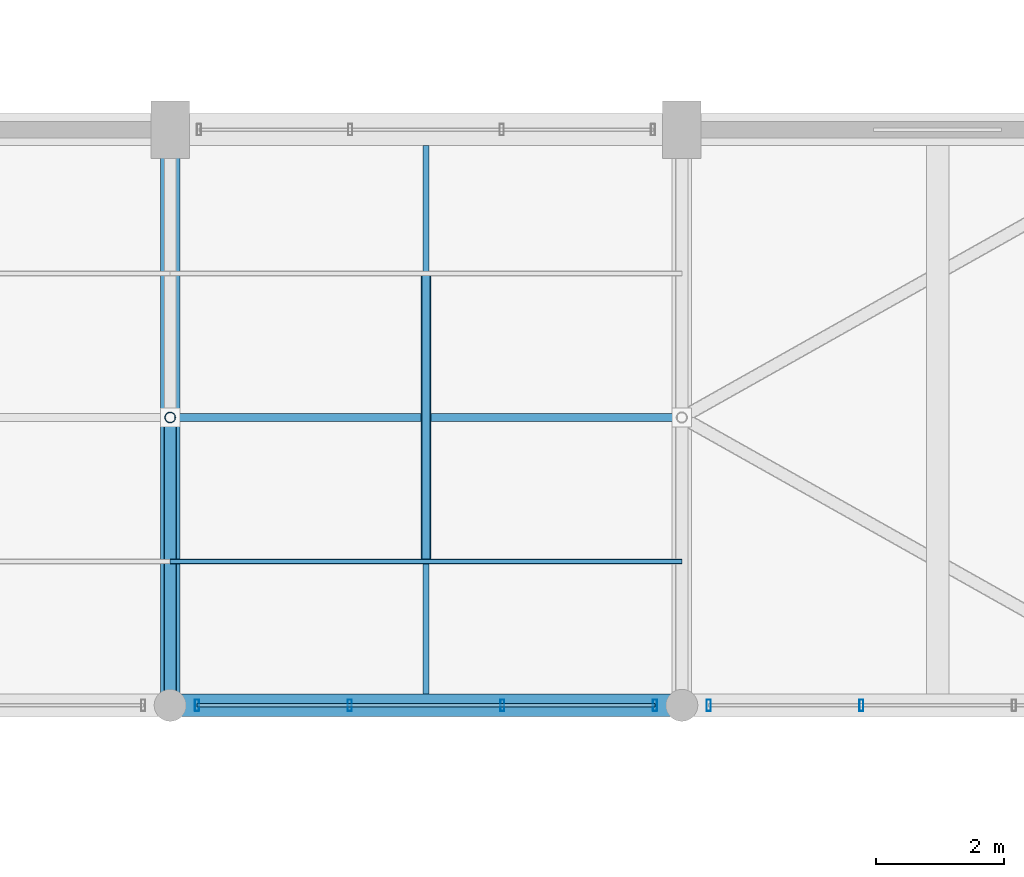
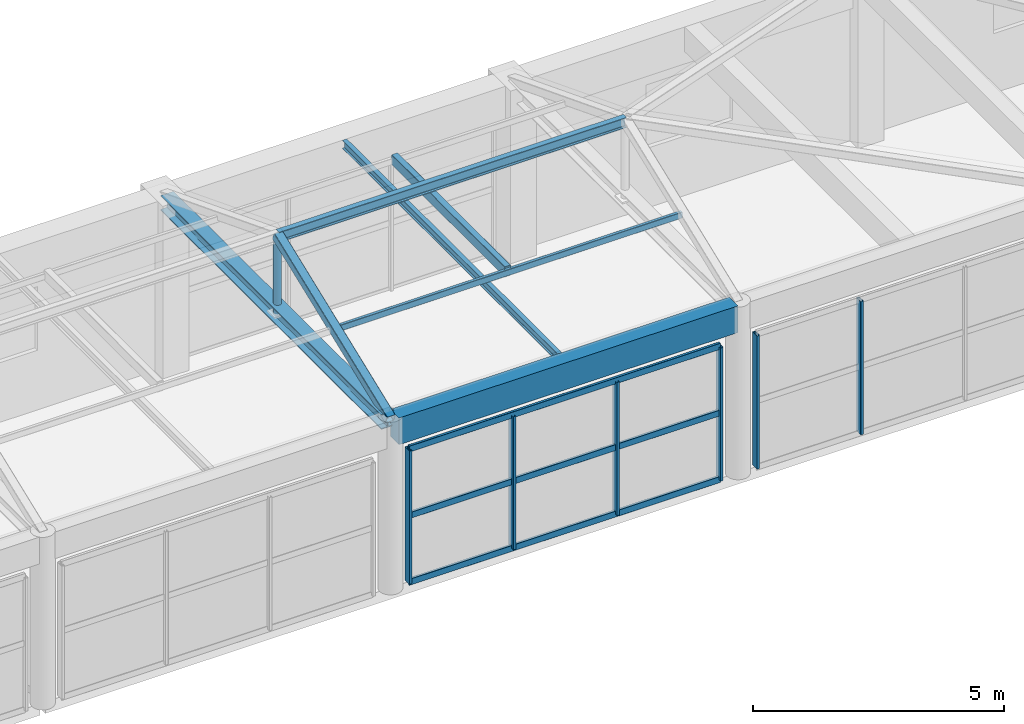
# One storey, part 38 of 65: 13 members, 4 beams, 2 elements without a shape of their own.
"""IFC4 building model written with IfcOpenShell, lengths in metres."""

from ifc_helpers import new_model, si_unit, direction, frame, origin, origin_2d, place, context, subcontext, project, spatial, rectangle, hollow_rectangle, hollow_circle, i_section, extrude, material, material_profile, profile_set, type_object, element, aggregate, save


model = new_model("IFC4")

# Units and contexts
model_context = context("Model", 3, precision=1e-05, world=origin(), true_north=direction((0.0, 1.0)))
body_context = subcontext(model_context, "Body", "Model", "MODEL_VIEW")
ifc_project = project(units=[si_unit("LENGTHUNIT", "METRE"), si_unit("AREAUNIT", "SQUARE_METRE"), si_unit("VOLUMEUNIT", "CUBIC_METRE"), si_unit("PLANEANGLEUNIT", "RADIAN"), si_unit("MASSUNIT", "GRAM", prefix="KILO")], contexts=[model_context])

# Site, building, storey
site_placement = place(None, origin())
site = spatial("IfcSite", under=ifc_project, at=site_placement, CompositionType="ELEMENT")
building_placement = place(site_placement, origin())
building = spatial("IfcBuilding", under=site, at=building_placement, Name="Varnabhumi Central Station", CompositionType="ELEMENT")
storey_placement = place(building_placement, frame((0.0, 0.0, 24.60009765625)))
storey = spatial("IfcBuildingStorey", under=building, at=storey_placement, Name="L05", CompositionType="ELEMENT", Elevation=24.60009765625)

# Beams
ifc_material_1 = material(Name="Structural steel E350", Category="steel")
ifc_material_profile_1 = material_profile(ifc_material_1, i_section(OverallWidth=0.125, OverallDepth=0.25, WebThickness=0.0068359375, FlangeThickness=0.012451171875, FilletRadius=0.012939453125, at=origin_2d()), Name="Structural steel E350", Category="steel")
ifc_profile_set_1 = profile_set([ifc_material_profile_1], Name="Structural steel E350")
beam_type_1 = type_object("IfcBeamType", Name="BM-PUR-ISMB250", PredefinedType="JOIST", material=ifc_profile_set_1)
beam_1_placement = place(storey_placement, frame((128.0, 31.5, 5.829833984375), z_axis=(1.0, 0.0, 0.0), x_axis=(0.0, 1.0, 0.0)))
element("IfcBeam", 1, at=beam_1_placement, inside=storey, type_object=beam_type_1, Name="Mission Roof Ridge Beam SW6CN-3", PredefinedType="JOIST", context=body_context, shape_type="SweptSolid", body=[
    extrude(i_section(OverallWidth=0.125, OverallDepth=0.25, WebThickness=0.0068359375, FlangeThickness=0.012451171875, FilletRadius=0.012939453125, at=origin_2d()), origin(), (0.0, 0.0, 1.0), 8.0),
])
ifc_material_2 = material(Name="Concrete M40", Category="concrete")
ifc_material_profile_2 = material_profile(ifc_material_2, rectangle(XDim=0.35009765625, YDim=0.64990234375, at=origin_2d()), Name="Concrete M40", Category="concrete")
ifc_profile_set_2 = profile_set([ifc_material_profile_2], Name="Concrete M40")
beam_type_2 = type_object("IfcBeamType", Name="BM-RC-350x650", PredefinedType="BEAM", material=ifc_profile_set_2)
beam_2_placement = place(storey_placement, frame((128.10009765625, 27.0, 3.875), z_axis=(1.0, 0.0, 0.0), x_axis=(0.0, 1.0, 0.0)))
element("IfcBeam", 2, at=beam_2_placement, inside=storey, type_object=beam_type_2, Name="Beam L05-D:17-18", PredefinedType="BEAM", context=body_context, shape_type="SweptSolid", body=[
    extrude(rectangle(XDim=0.35009765625, YDim=0.64990234375, at=origin_2d()), origin(), (0.0, 0.0, 1.0), 7.7998046875),
])
ifc_material_profile_3 = material_profile(ifc_material_1, i_section(OverallWidth=0.10009765625, OverallDepth=0.199951171875, WebThickness=0.005615234375, FlangeThickness=0.0107421875, FilletRadius=0.010986328125, at=origin_2d()), Name="Structural steel E350", Category="steel")
ifc_profile_set_3 = profile_set([ifc_material_profile_3], Name="Structural steel E350")
beam_type_3 = type_object("IfcBeamType", Name="BM-STL-ISMB200", PredefinedType="JOIST", material=ifc_profile_set_3)
beam_3_placement = place(storey_placement, frame((132.0, 27.175048828125, 4.099853515625), z_axis=(0.0, 1.0, 0.0), x_axis=(-1.0, 0.0, 0.0)))
element("IfcBeam", 3, at=beam_3_placement, inside=storey, type_object=beam_type_3, Name="Secondary Joist L05-17/18:D-E", PredefinedType="JOIST", context=body_context, shape_type="SweptSolid", body=[
    extrude(i_section(OverallWidth=0.10009765625, OverallDepth=0.199951171875, WebThickness=0.005615234375, FlangeThickness=0.0107421875, FilletRadius=0.010986328125, at=origin_2d()), origin(), (0.0, 0.0, 1.0), 8.574951171875),
])
ifc_material_profile_4 = material_profile(ifc_material_1, i_section(OverallWidth=0.300048828125, OverallDepth=0.360107421875, WebThickness=0.012451171875, FlangeThickness=0.0224609375, FilletRadius=0.027099609375, at=origin_2d()), Name="Structural steel E350", Category="steel")
ifc_profile_set_4 = profile_set([ifc_material_profile_4], Name="Structural steel E350")
beam_type_4 = type_object("IfcBeamType", Name="BM-STL-WPB360", PredefinedType="BEAM", material=ifc_profile_set_4)
beam_4_placement = place(storey_placement, frame((128.0, 27.10009765625, 4.02001953125), z_axis=(0.0, 1.0, 0.0), x_axis=(-1.0, 0.0, 0.0)))
element("IfcBeam", 4, at=beam_4_placement, inside=storey, type_object=beam_type_4, Name="Beam L05-17:D-E", PredefinedType="BEAM", context=body_context, shape_type="SweptSolid", body=[
    extrude(i_section(OverallWidth=0.300048828125, OverallDepth=0.360107421875, WebThickness=0.012451171875, FlangeThickness=0.0224609375, FilletRadius=0.027099609375, at=origin_2d()), origin(), (0.0, 0.0, 1.0), 8.7998046875),
])

# Curtain wall, members
ifc_material_3 = material(Name="Anodised aluminium 6063-T6", Category="aluminium")
curtain_wall_type = type_object("IfcCurtainWallType", Name="CW-PATIO-LOGGIA-L3", PredefinedType="NOTDEFINED", material=ifc_material_3)
curtain_wall_1_placement = place(storey_placement, origin())
curtain_wall_1 = element("IfcCurtainWall", 5, at=curtain_wall_1_placement, inside=storey, type_object=curtain_wall_type, Name="Curtain Wall CW-SP5N3", PredefinedType="NOTDEFINED")
ifc_material_profile_5 = material_profile(ifc_material_3, hollow_rectangle(XDim=0.06494140625, YDim=0.179931640625, WallThickness=0.00390625, InnerFilletRadius=0.001953125, OuterFilletRadius=0.006103515625, at=origin_2d()), Name="Anodised aluminium 6063-T6", Category="aluminium")
ifc_profile_set_5 = profile_set([ifc_material_profile_5], Name="Anodised aluminium 6063-T6")
member_type_1 = type_object("IfcMemberType", Name="CW-MUL-180", PredefinedType="MULLION", material=ifc_profile_set_5)
member_1_placement = place(storey_placement, frame((128.419921875, 27.0, 0.0), z_axis=(0.0, 0.0, 1.0), x_axis=(1.0, 0.0, 0.0)))
member_1 = element("IfcMember", 6, at=member_1_placement, type_object=member_type_1, Name="Curtain Wall Mullion CW-SP5N3-M1", PredefinedType="MULLION", context=body_context, shape_type="SweptSolid", body=[
    extrude(hollow_rectangle(XDim=0.06494140625, YDim=0.179931640625, WallThickness=0.00390625, InnerFilletRadius=0.001953125, OuterFilletRadius=0.006103515625, at=origin_2d()), origin(), (0.0, 0.0, 1.0), 3.239990234375),
])
member_2_placement = place(storey_placement, frame((130.806640625, 27.0, 0.0), z_axis=(0.0, 0.0, 1.0), x_axis=(1.0, 0.0, 0.0)))
member_2 = element("IfcMember", 7, at=member_2_placement, type_object=member_type_1, Name="Curtain Wall Mullion CW-SP5N3-M2", PredefinedType="MULLION", context=body_context, shape_type="SweptSolid", body=[
    extrude(hollow_rectangle(XDim=0.06494140625, YDim=0.179931640625, WallThickness=0.00390625, InnerFilletRadius=0.001953125, OuterFilletRadius=0.006103515625, at=origin_2d()), origin(), (0.0, 0.0, 1.0), 3.239990234375),
])
member_3_placement = place(storey_placement, frame((133.193359375, 27.0, 0.0), z_axis=(0.0, 0.0, 1.0), x_axis=(1.0, 0.0, 0.0)))
member_3 = element("IfcMember", 8, at=member_3_placement, type_object=member_type_1, Name="Curtain Wall Mullion CW-SP5N3-M3", PredefinedType="MULLION", context=body_context, shape_type="SweptSolid", body=[
    extrude(hollow_rectangle(XDim=0.06494140625, YDim=0.179931640625, WallThickness=0.00390625, InnerFilletRadius=0.001953125, OuterFilletRadius=0.006103515625, at=origin_2d()), origin(), (0.0, 0.0, 1.0), 3.239990234375),
])
member_4_placement = place(storey_placement, frame((135.580078125, 27.0, 0.0), z_axis=(0.0, 0.0, 1.0), x_axis=(1.0, 0.0, 0.0)))
member_4 = element("IfcMember", 9, at=member_4_placement, type_object=member_type_1, Name="Curtain Wall Mullion CW-SP5N3-M4", PredefinedType="MULLION", context=body_context, shape_type="SweptSolid", body=[
    extrude(hollow_rectangle(XDim=0.06494140625, YDim=0.179931640625, WallThickness=0.00390625, InnerFilletRadius=0.001953125, OuterFilletRadius=0.006103515625, at=origin_2d()), origin(), (0.0, 0.0, 1.0), 3.239990234375),
])

curtain_wall_2_placement = place(storey_placement, origin())
curtain_wall_2 = element("IfcCurtainWall", 10, at=curtain_wall_2_placement, inside=storey, type_object=curtain_wall_type, Name="Curtain Wall CW-SP5N4", PredefinedType="NOTDEFINED")
member_5_placement = place(storey_placement, frame((136.419921875, 27.0, 0.0), z_axis=(0.0, 0.0, 1.0), x_axis=(1.0, 0.0, 0.0)))
member_5 = element("IfcMember", 11, at=member_5_placement, type_object=member_type_1, Name="Curtain Wall Mullion CW-SP5N4-M1", PredefinedType="MULLION", context=body_context, shape_type="SweptSolid", body=[
    extrude(hollow_rectangle(XDim=0.06494140625, YDim=0.179931640625, WallThickness=0.00390625, InnerFilletRadius=0.001953125, OuterFilletRadius=0.006103515625, at=origin_2d()), origin(), (0.0, 0.0, 1.0), 3.239990234375),
])
member_6_placement = place(storey_placement, frame((138.806640625, 27.0, 0.0), z_axis=(0.0, 0.0, 1.0), x_axis=(1.0, 0.0, 0.0)))
member_6 = element("IfcMember", 12, at=member_6_placement, type_object=member_type_1, Name="Curtain Wall Mullion CW-SP5N4-M2", PredefinedType="MULLION", context=body_context, shape_type="SweptSolid", body=[
    extrude(hollow_rectangle(XDim=0.06494140625, YDim=0.179931640625, WallThickness=0.00390625, InnerFilletRadius=0.001953125, OuterFilletRadius=0.006103515625, at=origin_2d()), origin(), (0.0, 0.0, 1.0), 3.239990234375),
])
aggregate(curtain_wall_2, [member_5, member_6])

# Member
ifc_material_profile_6 = material_profile(ifc_material_3, hollow_rectangle(XDim=0.06005859375, YDim=0.14990234375, WallThickness=0.00390625, InnerFilletRadius=0.001953125, OuterFilletRadius=0.006103515625, at=origin_2d()), Name="Anodised aluminium 6063-T6", Category="aluminium")
ifc_profile_set_6 = profile_set([ifc_material_profile_6], Name="Anodised aluminium 6063-T6")
member_type_2 = type_object("IfcMemberType", Name="CW-TR-150", PredefinedType="USERDEFINED", material=ifc_profile_set_6)
member_7_placement = place(storey_placement, frame((128.419921875, 27.0, 0.0), z_axis=(1.0, 0.0, 0.0), x_axis=(0.0, 1.0, 0.0)))
member_7 = element("IfcMember", 13, at=member_7_placement, type_object=member_type_2, Name="Curtain Wall Transom CW-SP5N3-T1", ObjectType="TRANSOM", PredefinedType="USERDEFINED", context=body_context, shape_type="SweptSolid", body=[
    extrude(hollow_rectangle(XDim=0.06005859375, YDim=0.14990234375, WallThickness=0.00390625, InnerFilletRadius=0.001953125, OuterFilletRadius=0.006103515625, at=origin_2d()), origin(), (0.0, 0.0, 1.0), 7.16015625),
])

member_8_placement = place(storey_placement, frame((128.419921875, 27.0, 1.619873046875), z_axis=(1.0, 0.0, 0.0), x_axis=(0.0, 1.0, 0.0)))
member_8 = element("IfcMember", 14, at=member_8_placement, type_object=member_type_2, Name="Curtain Wall Transom CW-SP5N3-T2", ObjectType="TRANSOM", PredefinedType="USERDEFINED", context=body_context, shape_type="SweptSolid", body=[
    extrude(hollow_rectangle(XDim=0.06005859375, YDim=0.14990234375, WallThickness=0.00390625, InnerFilletRadius=0.001953125, OuterFilletRadius=0.006103515625, at=origin_2d()), origin(), (0.0, 0.0, 1.0), 7.16015625),
])

member_9_placement = place(storey_placement, frame((128.419921875, 27.0, 3.239990234375), z_axis=(1.0, 0.0, 0.0), x_axis=(0.0, 1.0, 0.0)))
member_9 = element("IfcMember", 15, at=member_9_placement, type_object=member_type_2, Name="Curtain Wall Transom CW-SP5N3-T3", ObjectType="TRANSOM", PredefinedType="USERDEFINED", context=body_context, shape_type="SweptSolid", body=[
    extrude(hollow_rectangle(XDim=0.06005859375, YDim=0.14990234375, WallThickness=0.00390625, InnerFilletRadius=0.001953125, OuterFilletRadius=0.006103515625, at=origin_2d()), origin(), (0.0, 0.0, 1.0), 7.16015625),
])

aggregate(curtain_wall_1, [member_1, member_2, member_3, member_4, member_7, member_8, member_9])

# Members
ifc_material_profile_7 = material_profile(ifc_material_1, hollow_rectangle(XDim=0.14990234375, YDim=0.25, WallThickness=0.010009765625, InnerFilletRadius=0.010009765625, OuterFilletRadius=0.02001953125, at=origin_2d()), Name="Structural steel E350", Category="steel")
ifc_profile_set_7 = profile_set([ifc_material_profile_7], Name="Structural steel E350")
member_type_3 = type_object("IfcMemberType", Name="MBR-COLLAR-RHS", PredefinedType="COLLAR", material=ifc_profile_set_7)
member_10_placement = place(storey_placement, frame((132.0, 29.25, 4.94482421875), z_axis=(0.0, 1.0, 0.0), x_axis=(-1.0, 0.0, 0.0)))
element("IfcMember", 16, at=member_10_placement, inside=storey, type_object=member_type_3, Name="Mission Roof Collar Tie SW6CN-3", PredefinedType="COLLAR", context=body_context, shape_type="SweptSolid", body=[
    extrude(hollow_rectangle(XDim=0.14990234375, YDim=0.25, WallThickness=0.010009765625, InnerFilletRadius=0.010009765625, OuterFilletRadius=0.02001953125, at=origin_2d()), origin(), (0.0, 0.0, 1.0), 4.5),
])
ifc_material_profile_8 = material_profile(ifc_material_1, hollow_rectangle(XDim=0.074951171875, YDim=0.14990234375, WallThickness=0.006103515625, InnerFilletRadius=0.006103515625, OuterFilletRadius=0.011962890625, at=origin_2d()), Name="Structural steel E350", Category="steel")
ifc_profile_set_8 = profile_set([ifc_material_profile_8], Name="Structural steel E350")
member_type_4 = type_object("IfcMemberType", Name="MBR-PURL-RHS150", PredefinedType="PURLIN", material=ifc_profile_set_8)
member_11_placement = place(storey_placement, frame((128.0, 29.25, 4.9248046875), z_axis=(1.0, 0.0, 0.0), x_axis=(0.0, 1.0, 0.0)))
element("IfcMember", 17, at=member_11_placement, inside=storey, type_object=member_type_4, Name="Mission Roof Purlin SW6CN-3-S", PredefinedType="PURLIN", context=body_context, shape_type="SweptSolid", body=[
    extrude(hollow_rectangle(XDim=0.074951171875, YDim=0.14990234375, WallThickness=0.006103515625, InnerFilletRadius=0.006103515625, OuterFilletRadius=0.011962890625, at=origin_2d()), origin(), (0.0, 0.0, 1.0), 8.0),
])
ifc_material_profile_9 = material_profile(ifc_material_1, hollow_rectangle(XDim=0.199951171875, YDim=0.199951171875, WallThickness=0.010009765625, InnerFilletRadius=0.010009765625, OuterFilletRadius=0.02001953125, at=origin_2d()), Name="Structural steel E350", Category="steel")
ifc_profile_set_9 = profile_set([ifc_material_profile_9], Name="Structural steel E350")
member_type_5 = type_object("IfcMemberType", Name="MBR-RAFT-SHS200", PredefinedType="RAFTER", material=ifc_profile_set_9)
member_12_placement = place(storey_placement, frame((128.0, 27.0, 4.10986328125), z_axis=(0.0, 0.932004671541, 0.362446261155), x_axis=(-1.0, 0.0, 0.0)))
element("IfcMember", 18, at=member_12_placement, inside=storey, type_object=member_type_5, Name="Mission Roof South Rafter SW6CN-3", PredefinedType="RAFTER", context=body_context, shape_type="SweptSolid", body=[
    extrude(hollow_rectangle(XDim=0.199951171875, YDim=0.199951171875, WallThickness=0.010009765625, InnerFilletRadius=0.010009765625, OuterFilletRadius=0.02001953125, at=origin_2d()), origin(), (0.0, 0.0, 1.0), 4.828369140625),
])
ifc_material_profile_10 = material_profile(ifc_material_1, hollow_circle(Radius=0.084228515625, WallThickness=0.008056640625, at=origin_2d()), Name="Structural steel E350", Category="steel")
ifc_profile_set_10 = profile_set([ifc_material_profile_10], Name="Structural steel E350")
member_type_6 = type_object("IfcMemberType", Name="MBR-STRUT-CHS168", PredefinedType="STRUT", material=ifc_profile_set_10)
member_13_placement = place(storey_placement, frame((128.0, 31.5, 3.949951171875), z_axis=(0.0, 0.0, 1.0), x_axis=(1.0, 0.0, 0.0)))
element("IfcMember", 19, at=member_13_placement, inside=storey, type_object=member_type_6, Name="Mission Roof King Strut SW6CN-3", PredefinedType="STRUT", context=body_context, shape_type="SweptSolid", body=[
    extrude(hollow_circle(Radius=0.084228515625, WallThickness=0.008056640625, at=origin_2d()), origin(), (0.0, 0.0, 1.0), 1.8798828125),
])

save(model, "model.ifc")
